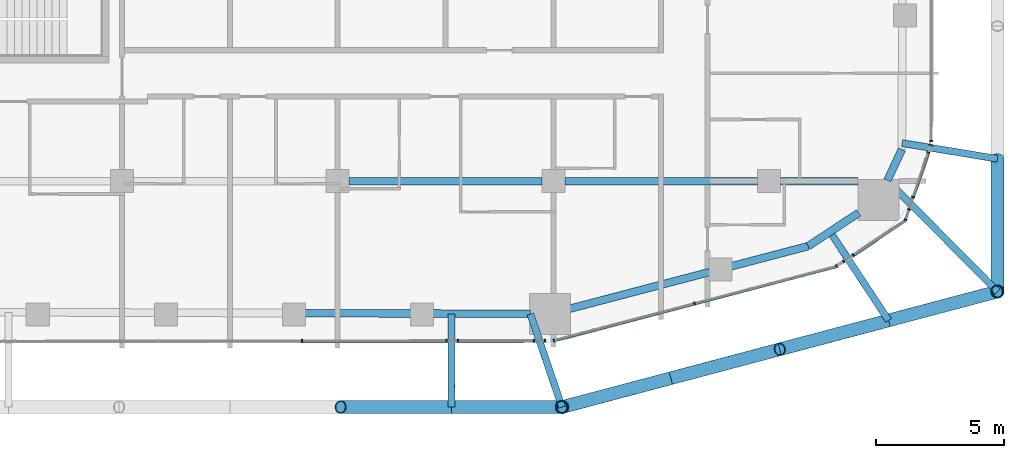
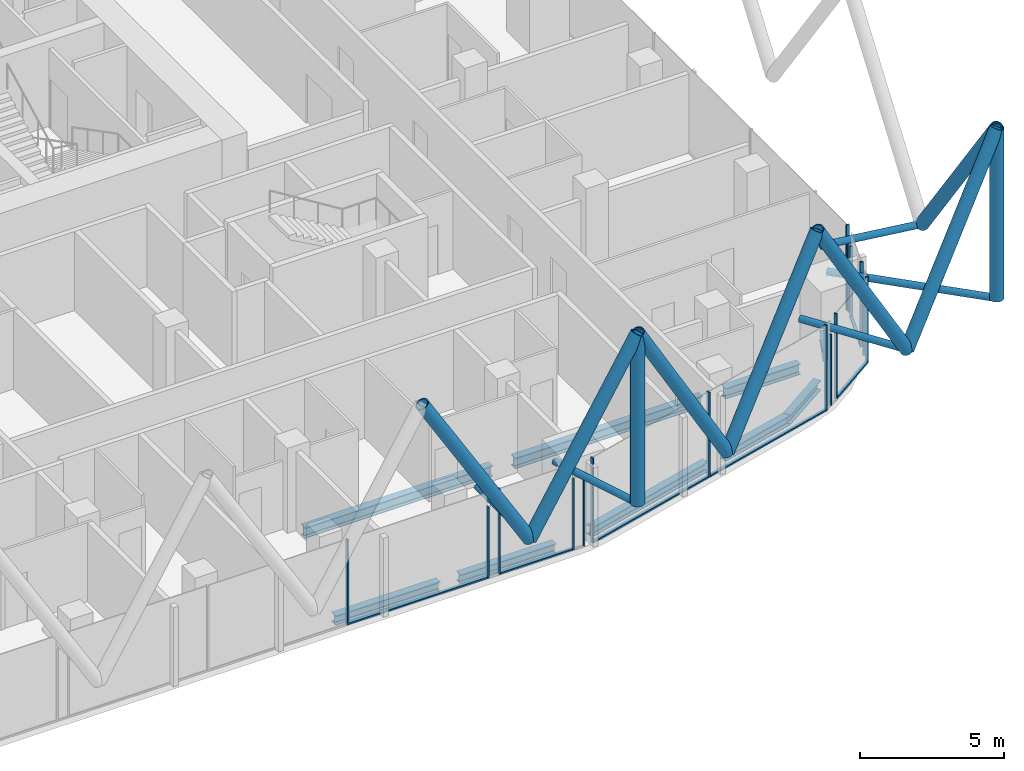
# One storey, part 6 of 36: 36 members, 9 beams, 13 elements without a shape of their own.
"""IFC4 building model written with IfcOpenShell, lengths in metres."""

from ifc_helpers import new_model, si_unit, direction, frame, origin, origin_2d, place, context, subcontext, project, spatial, rectangle, hollow_circle, i_section, extrude, material, layer, layer_set, material_profile, profile_set, type_object, element, aggregate, save


model = new_model("IFC4")

# Units and contexts
model_context = context("Model", 3, precision=1e-05, world=origin(), true_north=direction((0.0, 1.0)))
body_context = subcontext(model_context, "Body", "Model", "MODEL_VIEW")
ifc_project = project(units=[si_unit("LENGTHUNIT", "METRE"), si_unit("AREAUNIT", "SQUARE_METRE"), si_unit("VOLUMEUNIT", "CUBIC_METRE"), si_unit("PLANEANGLEUNIT", "RADIAN"), si_unit("MASSUNIT", "GRAM", prefix="KILO")], contexts=[model_context])

# Site, building, storey
site_placement = place(None, origin())
site = spatial("IfcSite", under=ifc_project, at=site_placement, CompositionType="ELEMENT")
building_placement = place(site_placement, origin())
building = spatial("IfcBuilding", under=site, at=building_placement, Name="Marenta Gate Hotel Tower", CompositionType="ELEMENT")
storey_placement = place(building_placement, frame((0.0, 0.0, 130.10009765625)))
storey = spatial("IfcBuildingStorey", under=building, at=storey_placement, Name="L29", CompositionType="ELEMENT", Elevation=130.10009765625)

# Members
ifc_material_1 = material(Name="Steel S355J2W", Category="steel")
ifc_material_profile_1 = material_profile(ifc_material_1, hollow_circle(Radius=0.25390625, WallThickness=0.02490234375, at=origin_2d()), Name="CHS 508x25")
ifc_profile_set_1 = profile_set([ifc_material_profile_1], Name="Steel S355J2W")
member_type_1 = type_object("IfcMemberType", Name="Diagrid corner post Z2 CHS 508x25", PredefinedType="POST", material=ifc_profile_set_1)
for number, where, z_axis, x_axis, name in (
    (1, (29.89990234375, -21.10009765625, 3.139892578125), (0.0, 0.0, 1.0), (1.0, 0.0, 0.0), "L29-DR-2"),
    (2, (12.93896484375, -25.60009765625, 3.139892578125), (0.0, 0.0, 1.0), (1.0, 0.0, 0.0), "L29-DR-3"),
):
    element("IfcMember", number, at=place(storey_placement, frame(where, z_axis=z_axis, x_axis=x_axis)), inside=storey, type_object=member_type_1, Name=name, PredefinedType="POST", context=body_context, shape_type="SweptSolid", body=[
        extrude(hollow_circle(Radius=0.25390625, WallThickness=0.02490234375, at=origin_2d()), origin(), (0.0, 0.0, 1.0), 7.199951171875),
    ])
ifc_material_2 = material(Name="Steel S355J2W", Category="steel")
ifc_material_profile_2 = material_profile(ifc_material_2, hollow_circle(Radius=0.25390625, WallThickness=0.0400390625, at=origin_2d()), Name="CHS 508x40")
ifc_profile_set_2 = profile_set([ifc_material_profile_2], Name="Steel S355J2W")
member_type_2 = type_object("IfcMemberType", Name="Diagrid diagonal Z2 CHS 508x40", PredefinedType="BRACE", material=ifc_profile_set_2)
member_1_placement = place(storey_placement, frame((29.89990234375, -15.93017578125, 3.139892578125), z_axis=(0.0, -0.583260841117, 0.812284919975), x_axis=(1.0, 0.0, 0.0)))
element("IfcMember", 3, at=member_1_placement, inside=storey, type_object=member_type_2, Name="L29-DG-10", PredefinedType="BRACE", context=body_context, shape_type="SweptSolid", body=[
    extrude(hollow_circle(Radius=0.25390625, WallThickness=0.0400390625, at=origin_2d()), origin(), (0.0, 0.0, 1.0), 8.86376953125),
])
member_2_placement = place(storey_placement, frame((25.659912109375, -22.22509765625, 3.139892578125), z_axis=(0.502902385412, 0.133435492139, 0.853981358218), x_axis=(-0.256456982503, 0.966555645644, 0.0)))
element("IfcMember", 4, at=member_2_placement, inside=storey, type_object=member_type_2, Name="L29-DG-11", PredefinedType="BRACE", context=body_context, shape_type="SweptSolid", body=[
    extrude(hollow_circle(Radius=0.25390625, WallThickness=0.0400390625, at=origin_2d()), origin(), (0.0, 0.0, 1.0), 8.43115234375),
])
member_3_placement = place(storey_placement, frame((25.659912109375, -22.22509765625, 3.139892578125), z_axis=(-0.502945650976, -0.133431605717, 0.853956485285), x_axis=(0.256429393985, -0.966562965306, 0.0)))
element("IfcMember", 5, at=member_3_placement, inside=storey, type_object=member_type_2, Name="L29-DG-12", PredefinedType="BRACE", context=body_context, shape_type="SweptSolid", body=[
    extrude(hollow_circle(Radius=0.25390625, WallThickness=0.0400390625, at=origin_2d()), origin(), (0.0, 0.0, 1.0), 8.431396484375),
])
for number, where, z_axis, x_axis, name in (
    (6, (17.17919921875, -24.47509765625, 3.139892578125), (0.502924018666, 0.133433548941, 0.853968921838), (-0.256443187528, 0.96655930577, 0.0), "L29-DG-13"),
    (7, (17.17919921875, -24.47509765625, 3.139892578125), (-0.502924018666, -0.133433548941, 0.853968921838), (0.256443187528, -0.96655930577, 0.0), "L29-DG-14"),
):
    element("IfcMember", number, at=place(storey_placement, frame(where, z_axis=z_axis, x_axis=x_axis)), inside=storey, type_object=member_type_2, Name=name, PredefinedType="BRACE", context=body_context, shape_type="SweptSolid", body=[
        extrude(hollow_circle(Radius=0.25390625, WallThickness=0.0400390625, at=origin_2d()), origin(), (0.0, 0.0, 1.0), 8.43115234375),
    ])
for number, where, z_axis, x_axis, name in (
    (8, (8.6259765625, -25.60009765625, 3.139892578125), (0.513883902774, 0.0, 0.857859740558), (0.0, 1.0, 0.0), "L29-DG-15"),
    (9, (8.6259765625, -25.60009765625, 3.139892578125), (-0.513883902774, 0.0, 0.857859740558), (0.0, -1.0, 0.0), "L29-DG-16"),
):
    element("IfcMember", number, at=place(storey_placement, frame(where, z_axis=z_axis, x_axis=x_axis)), inside=storey, type_object=member_type_2, Name=name, PredefinedType="BRACE", context=body_context, shape_type="SweptSolid", body=[
        extrude(hollow_circle(Radius=0.25390625, WallThickness=0.0400390625, at=origin_2d()), origin(), (0.0, 0.0, 1.0), 8.392822265625),
    ])

# Beams
ifc_material_3 = material(Name="Steel S355", Category="steel")
ifc_material_profile_3 = material_profile(ifc_material_3, i_section(OverallWidth=0.300048828125, OverallDepth=0.39990234375, WebThickness=0.013427734375, FlangeThickness=0.02392578125, FilletRadius=0.027099609375, at=origin_2d()), Name="HEB 400")
ifc_profile_set_3 = profile_set([ifc_material_profile_3], Name="Steel S355")
beam_type_1 = type_object("IfcBeamType", Name="Edge beam HEB 400", PredefinedType="SPANDREL", material=ifc_profile_set_3)
beam_1_placement = place(storey_placement, frame((26.175048828125, -15.567138671875, -0.460205078125), z_axis=(-0.423207780269, -0.906032656541, 0.0), x_axis=(0.906032656541, -0.423207780269, 0.0)))
element("IfcBeam", 10, at=beam_1_placement, inside=storey, type_object=beam_type_1, Name="L29-EB-28", PredefinedType="SPANDREL", context=body_context, shape_type="SweptSolid", body=[
    extrude(i_section(OverallWidth=0.300048828125, OverallDepth=0.39990234375, WebThickness=0.013427734375, FlangeThickness=0.02392578125, FilletRadius=0.027099609375, at=origin_2d()), origin(), (0.0, 0.0, 1.0), 1.326904296875),
])
beam_2_placement = place(storey_placement, frame((24.496337890625, -18.0322265625, -0.460205078125), z_axis=(-0.834496060599, -0.551013906217, 0.0), x_axis=(0.551013906217, -0.834496060599, 0.0)))
element("IfcBeam", 11, at=beam_2_placement, inside=storey, type_object=beam_type_1, Name="L29-EB-29", PredefinedType="SPANDREL", context=body_context, shape_type="SweptSolid", body=[
    extrude(i_section(OverallWidth=0.300048828125, OverallDepth=0.39990234375, WebThickness=0.013427734375, FlangeThickness=0.02392578125, FilletRadius=0.027099609375, at=origin_2d()), origin(), (0.0, 0.0, 1.0), 2.357177734375),
])
beam_3_placement = place(storey_placement, frame((22.529296875, -19.3310546875, -0.460205078125), z_axis=(-0.967224706208, -0.25392197168, 0.0), x_axis=(0.25392197168, -0.967224706208, 0.0)))
element("IfcBeam", 12, at=beam_3_placement, inside=storey, type_object=beam_type_1, Name="L29-EB-30", PredefinedType="SPANDREL", context=body_context, shape_type="SweptSolid", body=[
    extrude(i_section(OverallWidth=0.300048828125, OverallDepth=0.39990234375, WebThickness=0.013427734375, FlangeThickness=0.02392578125, FilletRadius=0.027099609375, at=origin_2d()), origin(), (0.0, 0.0, 1.0), 3.11328125),
])
beam_4_placement = place(storey_placement, frame((18.695556640625, -20.33740234375, -0.460205078125), z_axis=(-0.96723321901, -0.253889542999, 0.0), x_axis=(0.253889542999, -0.96723321901, 0.0)))
element("IfcBeam", 13, at=beam_4_placement, inside=storey, type_object=beam_type_1, Name="L29-EB-31", PredefinedType="SPANDREL", context=body_context, shape_type="SweptSolid", body=[
    extrude(i_section(OverallWidth=0.300048828125, OverallDepth=0.39990234375, WebThickness=0.013427734375, FlangeThickness=0.02392578125, FilletRadius=0.027099609375, at=origin_2d()), origin(), (0.0, 0.0, 1.0), 5.6533203125),
])
beam_5_placement = place(storey_placement, frame((11.706298828125, -21.97021484375, -0.460205078125), z_axis=(-0.999994883969, 0.003198755307, 0.0), x_axis=(-0.003198755307, -0.999994883969, 0.0)))
element("IfcBeam", 14, at=beam_5_placement, inside=storey, type_object=beam_type_1, Name="L29-EB-32", PredefinedType="SPANDREL", context=body_context, shape_type="SweptSolid", body=[
    extrude(i_section(OverallWidth=0.300048828125, OverallDepth=0.39990234375, WebThickness=0.013427734375, FlangeThickness=0.02392578125, FilletRadius=0.027099609375, at=origin_2d()), origin(), (0.0, 0.0, 1.0), 3.816162109375),
])
beam_6_placement = place(storey_placement, frame((7.070068359375, -21.955322265625, -0.460205078125), z_axis=(-0.999994807487, 0.003222576575, 0.0), x_axis=(-0.003222576575, -0.999994807487, 0.0)))
element("IfcBeam", 15, at=beam_6_placement, inside=storey, type_object=beam_type_1, Name="L29-EB-33", PredefinedType="SPANDREL", context=body_context, shape_type="SweptSolid", body=[
    extrude(i_section(OverallWidth=0.300048828125, OverallDepth=0.39990234375, WebThickness=0.013427734375, FlangeThickness=0.02392578125, FilletRadius=0.027099609375, at=origin_2d()), origin(), (0.0, 0.0, 1.0), 4.166748046875),
])

# Members
ifc_material_4 = material(Name="Steel S355J2W", Category="steel")
ifc_material_profile_4 = material_profile(ifc_material_4, hollow_circle(Radius=0.136474609375, WallThickness=0.012451171875, at=origin_2d()), Name="CHS 273x12.5")
ifc_profile_set_4 = profile_set([ifc_material_profile_4], Name="Steel S355J2W")
member_type_3 = type_object("IfcMemberType", Name="Floor tie CHS 273x12.5", PredefinedType="STRUT", material=ifc_profile_set_4)
member_4_placement = place(storey_placement, frame((29.89990234375, -15.93017578125, 3.139892578125), z_axis=(-0.986724686623, 0.162401948291, 0.0), x_axis=(-0.162401948291, -0.986724686623, 0.0)))
element("IfcMember", 16, at=member_4_placement, inside=storey, type_object=member_type_3, Name="L29-DR-10", PredefinedType="STRUT", context=body_context, shape_type="SweptSolid", body=[
    extrude(hollow_circle(Radius=0.136474609375, WallThickness=0.012451171875, at=origin_2d()), origin(), (0.0, 0.0, 1.0), 3.767333984375),
])
member_5_placement = place(storey_placement, frame((29.89990234375, -21.10009765625, 3.139892578125), z_axis=(-0.703467207322, 0.710727717359, 0.0), x_axis=(-0.710727717359, -0.703467207322, 0.0)))
element("IfcMember", 17, at=member_5_placement, inside=storey, type_object=member_type_3, Name="L29-DR-11", PredefinedType="STRUT", context=body_context, shape_type="SweptSolid", body=[
    extrude(hollow_circle(Radius=0.136474609375, WallThickness=0.012451171875, at=origin_2d()), origin(), (0.0, 0.0, 1.0), 6.086181640625),
])
member_6_placement = place(storey_placement, frame((25.659912109375, -22.22509765625, 3.139892578125), z_axis=(-0.551028164998, 0.834486645417, 0.0), x_axis=(-0.834486645417, -0.551028164998, 0.0)))
element("IfcMember", 18, at=member_6_placement, inside=storey, type_object=member_type_3, Name="L29-DR-12", PredefinedType="STRUT", context=body_context, shape_type="SweptSolid", body=[
    extrude(hollow_circle(Radius=0.136474609375, WallThickness=0.012451171875, at=origin_2d()), origin(), (0.0, 0.0, 1.0), 4.13330078125),
])
member_7_placement = place(storey_placement, frame((12.93896484375, -25.60009765625, 3.139892578125), z_axis=(-0.321582426358, 0.94688158872, 0.0), x_axis=(-0.94688158872, -0.321582426358, 0.0)))
element("IfcMember", 19, at=member_7_placement, inside=storey, type_object=member_type_3, Name="L29-DR-13", PredefinedType="STRUT", context=body_context, shape_type="SweptSolid", body=[
    extrude(hollow_circle(Radius=0.136474609375, WallThickness=0.012451171875, at=origin_2d()), origin(), (0.0, 0.0, 1.0), 3.826171875),
])
member_8_placement = place(storey_placement, frame((8.6259765625, -25.60009765625, 3.139892578125), z_axis=(0.003225789668, 0.999994797127, 0.0), x_axis=(-0.999994797127, 0.003225789668, 0.0)))
element("IfcMember", 20, at=member_8_placement, inside=storey, type_object=member_type_3, Name="L29-DR-14", PredefinedType="STRUT", context=body_context, shape_type="SweptSolid", body=[
    extrude(hollow_circle(Radius=0.136474609375, WallThickness=0.012451171875, at=origin_2d()), origin(), (0.0, 0.0, 1.0), 3.6328125),
])

# Beams
ifc_material_5 = material(Name="Steel S355", Category="steel")
ifc_material_profile_5 = material_profile(ifc_material_5, i_section(OverallWidth=0.300048828125, OverallDepth=0.449951171875, WebThickness=0.013916015625, FlangeThickness=0.02587890625, FilletRadius=0.027099609375, at=origin_2d()), Name="HEB 450")
ifc_profile_set_5 = profile_set([ifc_material_profile_5], Name="Steel S355")
beam_type_2 = type_object("IfcBeamType", Name="Girder HEB 450", PredefinedType="BEAM", material=ifc_profile_set_5)
for number, where, z_axis, x_axis, name in (
    (21, (4.64990234375, -16.800048828125, -0.485107421875), (1.0, 0.0, 0.0), (0.0, 1.0, 0.0), "L29-GD-5"),
    (22, (13.050048828125, -16.800048828125, -0.485107421875), (1.0, 0.0, 0.0), (0.0, 1.0, 0.0), "L29-GD-6"),
):
    element("IfcBeam", number, at=place(storey_placement, frame(where, z_axis=z_axis, x_axis=x_axis)), inside=storey, type_object=beam_type_2, Name=name, PredefinedType="BEAM", context=body_context, shape_type="SweptSolid", body=[
        extrude(i_section(OverallWidth=0.300048828125, OverallDepth=0.449951171875, WebThickness=0.013916015625, FlangeThickness=0.02587890625, FilletRadius=0.027099609375, at=origin_2d()), origin(), (0.0, 0.0, 1.0), 7.5),
    ])
beam_7_placement = place(storey_placement, frame((21.449951171875, -16.800048828125, -0.485107421875), z_axis=(1.0, 0.0, 0.0), x_axis=(0.0, 1.0, 0.0)))
element("IfcBeam", 23, at=beam_7_placement, inside=storey, type_object=beam_type_2, Name="L29-GD-7", PredefinedType="BEAM", context=body_context, shape_type="SweptSolid", body=[
    extrude(i_section(OverallWidth=0.300048828125, OverallDepth=0.449951171875, WebThickness=0.013916015625, FlangeThickness=0.02587890625, FilletRadius=0.027099609375, at=origin_2d()), origin(), (0.0, 0.0, 1.0), 3.012939453125),
])

# Curtain wall, member
ifc_material_6 = material(Name="Tinted insulated glass in bronze anodised frame", Category="glass")
ifc_layer = layer(ifc_material_6, 0.1201171875)
ifc_layer_set = layer_set([ifc_layer], Name="Tinted insulated glass in bronze anodised frame")
curtain_wall_type = type_object("IfcCurtainWallType", Name="Tower unitised curtain wall CW1", PredefinedType="NOTDEFINED", material=ifc_layer_set)
curtain_wall_1_placement = place(storey_placement, origin())
curtain_wall_1 = element("IfcCurtainWall", 24, at=curtain_wall_1_placement, inside=storey, type_object=curtain_wall_type, Name="CW1 run G21", PredefinedType="NOTDEFINED")
ifc_material_7 = material(Name="Bronze anodised aluminium", Category="aluminium")
ifc_material_profile_6 = material_profile(ifc_material_7, rectangle(XDim=0.1201171875, YDim=0.06005859375, at=origin_2d()), Name="Mullion CW1 60x120 bronze anodised aluminium")
ifc_profile_set_6 = profile_set([ifc_material_profile_6], Name="Bronze anodised aluminium")
member_type_4 = type_object("IfcMemberType", Name="Mullion CW1 60x120 bronze anodised aluminium", PredefinedType="MULLION", material=ifc_profile_set_6)
member_9_placement = place(storey_placement, frame((2.80810546875, -23.026611328125, 0.0), z_axis=(0.0, 0.0, 1.0), x_axis=(-0.001363166999, 0.999999070887, 0.0)))
member_9 = element("IfcMember", 25, at=member_9_placement, type_object=member_type_4, Name="CW1 mullion 3", PredefinedType="MULLION", context=body_context, shape_type="SweptSolid", body=[
    extrude(rectangle(XDim=0.1201171875, YDim=0.06005859375, at=origin_2d()), origin(), (0.0, 0.0, 1.0), 3.599853515625),
])

curtain_wall_2_placement = place(storey_placement, origin())
curtain_wall_2 = element("IfcCurtainWall", 26, at=curtain_wall_2_placement, inside=storey, type_object=curtain_wall_type, Name="CW1 run G22", PredefinedType="NOTDEFINED")
member_10_placement = place(storey_placement, frame((8.437744140625, -23.01904296875, 0.0), z_axis=(0.0, 0.0, 1.0), x_axis=(-0.001324502144, 0.999999122847, 0.0)))
member_10 = element("IfcMember", 27, at=member_10_placement, type_object=member_type_4, Name="CW1 mullion 1", PredefinedType="MULLION", context=body_context, shape_type="SweptSolid", body=[
    extrude(rectangle(XDim=0.1201171875, YDim=0.06005859375, at=origin_2d()), origin(), (0.0, 0.0, 1.0), 3.00048828125),
])
aggregate(curtain_wall_2, [member_10])

curtain_wall_3_placement = place(storey_placement, origin())
curtain_wall_3 = element("IfcCurtainWall", 28, at=curtain_wall_3_placement, inside=storey, type_object=curtain_wall_type, Name="CW1 run G23", PredefinedType="NOTDEFINED")
member_11_placement = place(storey_placement, frame((8.890869140625, -23.018310546875, 0.0), z_axis=(0.0, 0.0, 1.0), x_axis=(-0.001384712772, 0.999999041285, 0.0)))
member_11 = element("IfcMember", 29, at=member_11_placement, type_object=member_type_4, Name="CW1 mullion 1", PredefinedType="MULLION", context=body_context, shape_type="SweptSolid", body=[
    extrude(rectangle(XDim=0.1201171875, YDim=0.06005859375, at=origin_2d()), origin(), (0.0, 0.0, 1.0), 3.599853515625),
])

# Curtain wall, members
curtain_wall_4_placement = place(storey_placement, origin())
curtain_wall_4 = element("IfcCurtainWall", 30, at=curtain_wall_4_placement, inside=storey, type_object=curtain_wall_type, Name="CW1 run G24", PredefinedType="NOTDEFINED")
member_12_placement = place(storey_placement, frame((11.851806640625, -23.01416015625, 0.0), z_axis=(0.0, 0.0, 1.0), x_axis=(-0.001254704164, 0.999999212858, 0.0)))
member_12 = element("IfcMember", 31, at=member_12_placement, type_object=member_type_4, Name="CW1 mullion 1", PredefinedType="MULLION", context=body_context, shape_type="SweptSolid", body=[
    extrude(rectangle(XDim=0.1201171875, YDim=0.06005859375, at=origin_2d()), origin(), (0.0, 0.0, 1.0), 3.00048828125),
])
member_13_placement = place(storey_placement, frame((12.27001953125, -23.013671875, 0.0), z_axis=(0.0, 0.0, 1.0), x_axis=(-0.001254704164, 0.999999212858, 0.0)))
member_13 = element("IfcMember", 32, at=member_13_placement, type_object=member_type_4, Name="CW1 mullion 2", PredefinedType="MULLION", context=body_context, shape_type="SweptSolid", body=[
    extrude(rectangle(XDim=0.1201171875, YDim=0.06005859375, at=origin_2d()), origin(), (0.0, 0.0, 1.0), 3.00048828125),
])
aggregate(curtain_wall_4, [member_12, member_13])

curtain_wall_5_placement = place(storey_placement, origin())
curtain_wall_5 = element("IfcCurtainWall", 33, at=curtain_wall_5_placement, inside=storey, type_object=curtain_wall_type, Name="CW1 run G25", PredefinedType="NOTDEFINED")
member_14_placement = place(storey_placement, frame((12.626708984375, -23.005615234375, 0.0), z_axis=(0.0, 0.0, 1.0), x_axis=(-0.253374270473, 0.967368326473, 0.0)))
member_14 = element("IfcMember", 34, at=member_14_placement, type_object=member_type_4, Name="CW1 mullion 1", PredefinedType="MULLION", context=body_context, shape_type="SweptSolid", body=[
    extrude(rectangle(XDim=0.1201171875, YDim=0.06005859375, at=origin_2d()), origin(), (0.0, 0.0, 1.0), 3.599853515625),
])
member_15_placement = place(storey_placement, frame((18.102783203125, -21.571533203125, 0.0), z_axis=(0.0, 0.0, 1.0), x_axis=(-0.253374270473, 0.967368326473, 0.0)))
member_15 = element("IfcMember", 35, at=member_15_placement, type_object=member_type_4, Name="CW1 mullion 2", PredefinedType="MULLION", context=body_context, shape_type="SweptSolid", body=[
    extrude(rectangle(XDim=0.1201171875, YDim=0.06005859375, at=origin_2d()), origin(), (0.0, 0.0, 1.0), 3.599853515625),
])

# Curtain wall, member
curtain_wall_6_placement = place(storey_placement, origin())
curtain_wall_6 = element("IfcCurtainWall", 36, at=curtain_wall_6_placement, inside=storey, type_object=curtain_wall_type, Name="CW1 run G26", PredefinedType="NOTDEFINED")
member_16_placement = place(storey_placement, frame((23.632568359375, -20.113037109375, 0.0), z_axis=(0.0, 0.0, 1.0), x_axis=(-0.553864525199, 0.832606802594, 0.0)))
member_16 = element("IfcMember", 37, at=member_16_placement, type_object=member_type_4, Name="CW1 mullion 1", PredefinedType="MULLION", context=body_context, shape_type="SweptSolid", body=[
    extrude(rectangle(XDim=0.1201171875, YDim=0.06005859375, at=origin_2d()), origin(), (0.0, 0.0, 1.0), 3.599853515625),
])
aggregate(curtain_wall_6, [member_16])

curtain_wall_7_placement = place(storey_placement, origin())
curtain_wall_7 = element("IfcCurtainWall", 38, at=curtain_wall_7_placement, inside=storey, type_object=curtain_wall_type, Name="CW1 run G27", PredefinedType="NOTDEFINED")
member_17_placement = place(storey_placement, frame((23.90869140625, -19.929443359375, 0.0), z_axis=(0.0, 0.0, 1.0), x_axis=(-0.554088731944, 0.832457612814, 0.0)))
member_17 = element("IfcMember", 39, at=member_17_placement, type_object=member_type_4, Name="CW1 mullion 1", PredefinedType="MULLION", context=body_context, shape_type="SweptSolid", body=[
    extrude(rectangle(XDim=0.1201171875, YDim=0.06005859375, at=origin_2d()), origin(), (0.0, 0.0, 1.0), 3.00048828125),
])
aggregate(curtain_wall_7, [member_17])

curtain_wall_8_placement = place(storey_placement, origin())
curtain_wall_8 = element("IfcCurtainWall", 40, at=curtain_wall_8_placement, inside=storey, type_object=curtain_wall_type, Name="CW1 run G28", PredefinedType="NOTDEFINED")
member_18_placement = place(storey_placement, frame((24.28564453125, -19.678466796875, 0.0), z_axis=(0.0, 0.0, 1.0), x_axis=(-0.554023350707, 0.832501127249, 0.0)))
member_18 = element("IfcMember", 41, at=member_18_placement, type_object=member_type_4, Name="CW1 mullion 1", PredefinedType="MULLION", context=body_context, shape_type="SweptSolid", body=[
    extrude(rectangle(XDim=0.1201171875, YDim=0.06005859375, at=origin_2d()), origin(), (0.0, 0.0, 1.0), 3.599853515625),
])

curtain_wall_9_placement = place(storey_placement, origin())
curtain_wall_9 = element("IfcCurtainWall", 42, at=curtain_wall_9_placement, inside=storey, type_object=curtain_wall_type, Name="CW1 run G29", PredefinedType="NOTDEFINED")
member_19_placement = place(storey_placement, frame((26.314453125, -18.30615234375, 0.0), z_axis=(0.0, 0.0, 1.0), x_axis=(-0.946727185016, 0.322036701561, 0.0)))
member_19 = element("IfcMember", 43, at=member_19_placement, type_object=member_type_4, Name="CW1 mullion 1", PredefinedType="MULLION", context=body_context, shape_type="SweptSolid", body=[
    extrude(rectangle(XDim=0.1201171875, YDim=0.06005859375, at=origin_2d()), origin(), (0.0, 0.0, 1.0), 3.599853515625),
])
aggregate(curtain_wall_9, [member_19])

curtain_wall_10_placement = place(storey_placement, origin())
curtain_wall_10 = element("IfcCurtainWall", 44, at=curtain_wall_10_placement, inside=storey, type_object=curtain_wall_type, Name="CW1 run G30", PredefinedType="NOTDEFINED")
member_20_placement = place(storey_placement, frame((26.452392578125, -17.90087890625, 0.0), z_axis=(0.0, 0.0, 1.0), x_axis=(-0.946729383953, 0.322030237029, 0.0)))
member_20 = element("IfcMember", 45, at=member_20_placement, type_object=member_type_4, Name="CW1 mullion 1", PredefinedType="MULLION", context=body_context, shape_type="SweptSolid", body=[
    extrude(rectangle(XDim=0.1201171875, YDim=0.06005859375, at=origin_2d()), origin(), (0.0, 0.0, 1.0), 3.00048828125),
])
aggregate(curtain_wall_10, [member_20])

curtain_wall_11_placement = place(storey_placement, origin())
curtain_wall_11 = element("IfcCurtainWall", 46, at=curtain_wall_11_placement, inside=storey, type_object=curtain_wall_type, Name="CW1 run G31", PredefinedType="NOTDEFINED")
member_21_placement = place(storey_placement, frame((26.615478515625, -17.421630859375, 0.0), z_axis=(0.0, 0.0, 1.0), x_axis=(-0.946728842502, 0.322031828824, 0.0)))
member_21 = element("IfcMember", 47, at=member_21_placement, type_object=member_type_4, Name="CW1 mullion 1", PredefinedType="MULLION", context=body_context, shape_type="SweptSolid", body=[
    extrude(rectangle(XDim=0.1201171875, YDim=0.06005859375, at=origin_2d()), origin(), (0.0, 0.0, 1.0), 3.599853515625),
])

# Curtain wall, members
curtain_wall_12_placement = place(storey_placement, origin())
curtain_wall_12 = element("IfcCurtainWall", 48, at=curtain_wall_12_placement, inside=storey, type_object=curtain_wall_type, Name="CW1 run G32", PredefinedType="NOTDEFINED")
member_22_placement = place(storey_placement, frame((27.205810546875, -15.686279296875, 0.0), z_axis=(0.0, 0.0, 1.0), x_axis=(-0.946726116827, 0.322039841818, 0.0)))
member_22 = element("IfcMember", 49, at=member_22_placement, type_object=member_type_4, Name="CW1 mullion 1", PredefinedType="MULLION", context=body_context, shape_type="SweptSolid", body=[
    extrude(rectangle(XDim=0.1201171875, YDim=0.06005859375, at=origin_2d()), origin(), (0.0, 0.0, 1.0), 3.00048828125),
])
member_23_placement = place(storey_placement, frame((27.304443359375, -15.396484375, 0.0), z_axis=(0.0, 0.0, 1.0), x_axis=(-0.946726116827, 0.322039841818, 0.0)))
member_23 = element("IfcMember", 50, at=member_23_placement, type_object=member_type_4, Name="CW1 mullion 2", PredefinedType="MULLION", context=body_context, shape_type="SweptSolid", body=[
    extrude(rectangle(XDim=0.1201171875, YDim=0.06005859375, at=origin_2d()), origin(), (0.0, 0.0, 1.0), 3.00048828125),
])
aggregate(curtain_wall_12, [member_22, member_23])

# Curtain wall, member
curtain_wall_13_placement = place(storey_placement, origin())
curtain_wall_13 = element("IfcCurtainWall", 51, at=curtain_wall_13_placement, inside=storey, type_object=curtain_wall_type, Name="CW1 run G33", PredefinedType="NOTDEFINED")
member_24_placement = place(storey_placement, frame((27.31396484375, -15.244873046875, 0.0), z_axis=(0.0, 0.0, 1.0), x_axis=(-1.0, 0.0, 0.0)))
member_24 = element("IfcMember", 52, at=member_24_placement, type_object=member_type_4, Name="CW1 mullion 1", PredefinedType="MULLION", context=body_context, shape_type="SweptSolid", body=[
    extrude(rectangle(XDim=0.1201171875, YDim=0.06005859375, at=origin_2d()), origin(), (0.0, 0.0, 1.0), 3.599853515625),
])
aggregate(curtain_wall_13, [member_24])

# Member
ifc_material_8 = material(Name="Bronze anodised aluminium", Category="aluminium")
ifc_material_profile_7 = material_profile(ifc_material_8, rectangle(XDim=0.1201171875, YDim=0.06005859375, at=origin_2d()), Name="Transom CW1 60x120 bronze anodised aluminium")
ifc_profile_set_7 = profile_set([ifc_material_profile_7], Name="Bronze anodised aluminium")
member_type_5 = type_object("IfcMemberType", Name="Transom CW1 60x120 bronze anodised aluminium", PredefinedType="USERDEFINED", material=ifc_profile_set_7)
member_25_placement = place(storey_placement, frame((2.838134765625, -23.026611328125, 0.02978515625), z_axis=(0.999999076732, 0.001358873071, 0.0), x_axis=(-0.001358873071, 0.999999076732, 0.0)))
member_25 = element("IfcMember", 53, at=member_25_placement, type_object=member_type_5, Name="CW1 transom 3.1", ObjectType="TRANSOM", PredefinedType="USERDEFINED", context=body_context, shape_type="SweptSolid", body=[
    extrude(rectangle(XDim=0.1201171875, YDim=0.06005859375, at=origin_2d()), origin(), (0.0, 0.0, 1.0), 5.569580078125),
])

aggregate(curtain_wall_1, [member_9, member_25])

member_26_placement = place(storey_placement, frame((8.9208984375, -23.018310546875, 0.02978515625), z_axis=(0.99999909337, 0.00134657343, 0.0), x_axis=(-0.00134657343, 0.99999909337, 0.0)))
member_26 = element("IfcMember", 54, at=member_26_placement, type_object=member_type_5, Name="CW1 transom 1.1", ObjectType="TRANSOM", PredefinedType="USERDEFINED", context=body_context, shape_type="SweptSolid", body=[
    extrude(rectangle(XDim=0.1201171875, YDim=0.06005859375, at=origin_2d()), origin(), (0.0, 0.0, 1.0), 2.90087890625),
])

aggregate(curtain_wall_3, [member_11, member_26])

member_27_placement = place(storey_placement, frame((12.65576171875, -22.998046875, 0.02978515625), z_axis=(0.967374258372, 0.25335162174, 0.0), x_axis=(-0.25335162174, 0.967374258372, 0.0)))
member_27 = element("IfcMember", 55, at=member_27_placement, type_object=member_type_5, Name="CW1 transom 1.1", ObjectType="TRANSOM", PredefinedType="USERDEFINED", context=body_context, shape_type="SweptSolid", body=[
    extrude(rectangle(XDim=0.1201171875, YDim=0.06005859375, at=origin_2d()), origin(), (0.0, 0.0, 1.0), 5.6005859375),
])

member_28_placement = place(storey_placement, frame((18.1318359375, -21.56396484375, 0.02978515625), z_axis=(0.967364420611, 0.253389182357, 0.0), x_axis=(-0.253389182357, 0.967364420611, 0.0)))
member_28 = element("IfcMember", 56, at=member_28_placement, type_object=member_type_5, Name="CW1 transom 2.1", ObjectType="TRANSOM", PredefinedType="USERDEFINED", context=body_context, shape_type="SweptSolid", body=[
    extrude(rectangle(XDim=0.1201171875, YDim=0.06005859375, at=origin_2d()), origin(), (0.0, 0.0, 1.0), 5.66064453125),
])

aggregate(curtain_wall_5, [member_14, member_15, member_27, member_28])

member_29_placement = place(storey_placement, frame((24.310546875, -19.661865234375, 0.02978515625), z_axis=(0.832520358973, 0.553994451142, 0.0), x_axis=(-0.553994451142, 0.832520358973, 0.0)))
member_29 = element("IfcMember", 57, at=member_29_placement, type_object=member_type_5, Name="CW1 transom 1.1", ObjectType="TRANSOM", PredefinedType="USERDEFINED", context=body_context, shape_type="SweptSolid", body=[
    extrude(rectangle(XDim=0.1201171875, YDim=0.06005859375, at=origin_2d()), origin(), (0.0, 0.0, 1.0), 2.3955078125),
])

aggregate(curtain_wall_8, [member_18, member_29])

member_30_placement = place(storey_placement, frame((26.625, -17.393310546875, 0.02978515625), z_axis=(0.322045894615, 0.946724057876, 0.0), x_axis=(-0.946724057876, 0.322045894615, 0.0)))
member_30 = element("IfcMember", 58, at=member_30_placement, type_object=member_type_5, Name="CW1 transom 1.1", ObjectType="TRANSOM", PredefinedType="USERDEFINED", context=body_context, shape_type="SweptSolid", body=[
    extrude(rectangle(XDim=0.1201171875, YDim=0.06005859375, at=origin_2d()), origin(), (0.0, 0.0, 1.0), 1.773193359375),
])

aggregate(curtain_wall_11, [member_21, member_30])

save(model, "model.ifc")
